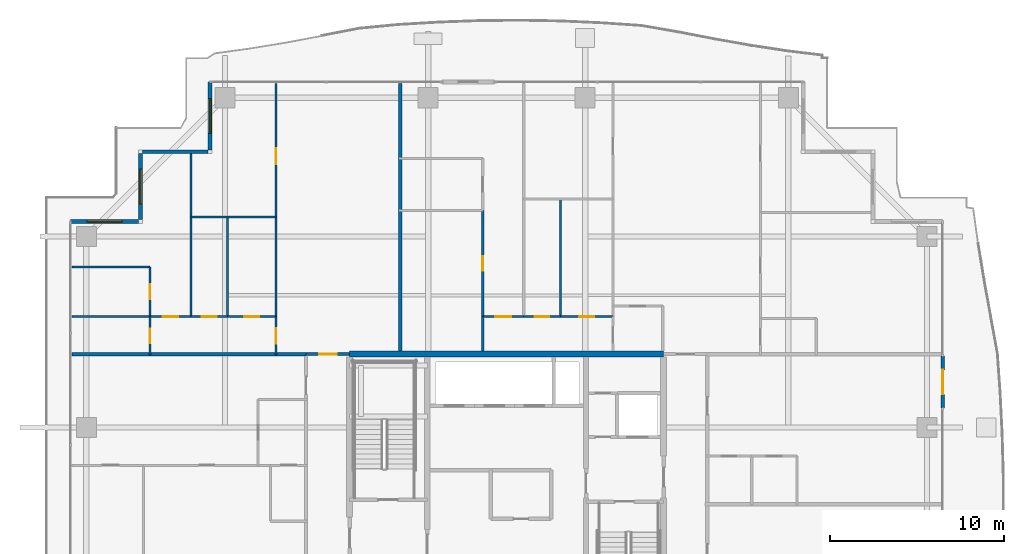
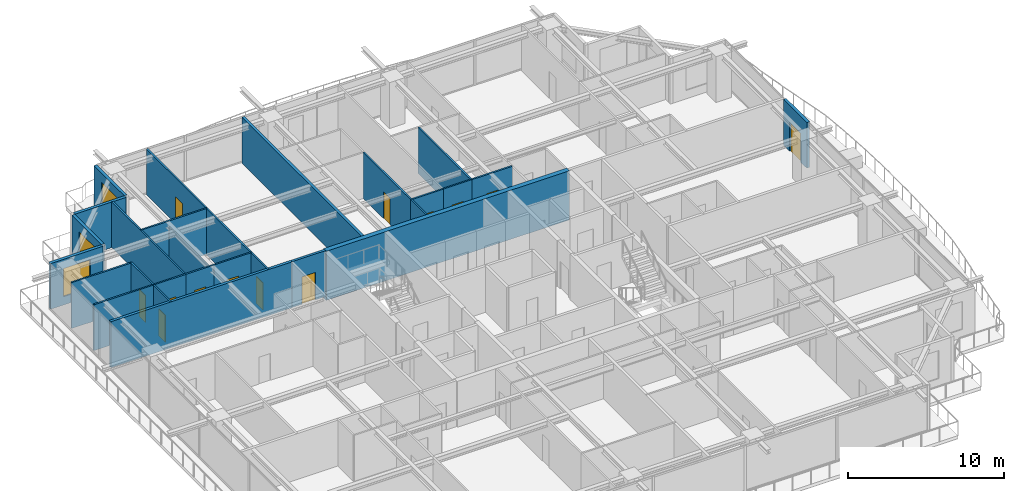
# One storey, part 29 of 37: 28 walls, 13 doors, 3 windows, 16 openings.
"""IFC4 building model written with IfcOpenShell, lengths in metres."""

import ifcopenshell
import ifcopenshell.guid

model = None  # the IFC model being written
_history = None  # IfcOwnerHistory: only IFC2X3 demands one
_inside = {}  # id of a spatial element -> (the spatial element, [elements in it])
_under = {}  # id of a project, library or spatial element -> (it, [spatial elements below it])
_declared = {}  # id of a project -> (the project, [libraries it declares])
_typed = {}  # id of a type object -> (the type object, [elements of that type])
_made_of = {}  # id of a material, layer set ... -> (it, [elements and type objects made of it])


def new_model(schema):
    """Start an empty IFC model of exactly this schema.

    Asked for "IFC4X3", IfcOpenShell would pick the latest addendum, in which some entities
    have other attributes; the version numbers below select the first issue.
    IFC2X3 requires an IfcOwnerHistory on every rooted entity: one is made here for all.
    """
    global model, _history
    if schema == "IFC4X3":
        model = ifcopenshell.file(schema_version=(4, 3, 0, 0))
    else:
        model = ifcopenshell.file(schema=schema)
    _inside.clear()
    _under.clear()
    _declared.clear()
    _typed.clear()
    _made_of.clear()
    _history = None
    if model.schema == "IFC2X3":
        org = make("IfcOrganization", Name="unknown")
        user = make(
            "IfcPersonAndOrganization",
            ThePerson=make("IfcPerson", FamilyName="unknown"),
            TheOrganization=org,
        )
        app = make(
            "IfcApplication",
            ApplicationDeveloper=org,
            Version="unknown",
            ApplicationFullName="unknown",
            ApplicationIdentifier="unknown",
        )
        _history = make(
            "IfcOwnerHistory",
            OwningUser=user,
            OwningApplication=app,
            ChangeAction="ADDED",
            CreationDate=0,
        )
    return model


def make(cls, **values):
    """One entity of the class cls with the attributes given. An attribute that is None is left unset."""
    return model.create_entity(
        cls, **{name: value for name, value in values.items() if value is not None}
    )


def rooted(cls, **values):
    """An entity with a GlobalId (a new one), such as an element, a storey or a relation."""
    return make(cls, GlobalId=ifcopenshell.guid.new(), OwnerHistory=_history, **values)


def si_unit(unit_type, name, prefix=None):
    """IfcSIUnit, for example si_unit("LENGTHUNIT", "METRE", prefix="MILLI")."""
    return make("IfcSIUnit", UnitType=unit_type, Prefix=prefix, Name=name)


def assignment(units):
    """IfcUnitAssignment: the units of a project."""
    return None if units is None else make("IfcUnitAssignment", Units=units)


def point(xyz):
    """IfcCartesianPoint."""
    return None if xyz is None else make("IfcCartesianPoint", Coordinates=xyz)


def direction(xyz):
    """IfcDirection."""
    return None if xyz is None else make("IfcDirection", DirectionRatios=xyz)


def frame(location, z_axis=None, x_axis=None):
    """IfcAxis2Placement3D, a coordinate frame: its origin and axes. An axis left out is left unset."""
    return make(
        "IfcAxis2Placement3D",
        Location=point(location),
        Axis=direction(z_axis),
        RefDirection=direction(x_axis),
    )


def frame_2d(location, x_axis=None):
    """IfcAxis2Placement2D, a coordinate frame in the plane: its origin and x axis."""
    return make(
        "IfcAxis2Placement2D", Location=point(location), RefDirection=direction(x_axis)
    )


def origin():
    """The frame at (0, 0, 0) with its axes left unset."""
    return frame((0.0, 0.0, 0.0))


def place(relative_to, where):
    """IfcLocalPlacement: puts the frame where relative to a parent placement (None: the world)."""
    return make(
        "IfcLocalPlacement", PlacementRelTo=relative_to, RelativePlacement=where
    )


def context(
    kind, dimensions, precision=None, world=None, true_north=None, identifier=None
):
    """IfcGeometricRepresentationContext, for example the 3D "Model" context."""
    return make(
        "IfcGeometricRepresentationContext",
        ContextIdentifier=identifier,
        ContextType=kind,
        CoordinateSpaceDimension=dimensions,
        Precision=precision,
        WorldCoordinateSystem=world,
        TrueNorth=true_north,
    )


def subcontext(parent, identifier, kind, view, scale=None):
    """IfcGeometricRepresentationSubContext, for example "Body" below "Model"."""
    return make(
        "IfcGeometricRepresentationSubContext",
        ContextIdentifier=identifier,
        ContextType=kind,
        ParentContext=parent,
        TargetScale=scale,
        TargetView=view,
    )


def project(units=None, contexts=None):
    """IfcProject with its units and contexts."""
    return rooted(
        "IfcProject",
        Name="project",
        RepresentationContexts=contexts,
        UnitsInContext=assignment(units),
    )


def spatial(cls, under=None, at=None, **own):
    """A site, building, storey or space (cls), placed at a placement, below another one or the project."""
    s = rooted(cls, ObjectPlacement=at, **own)
    if under is not None:
        _under.setdefault(under.id(), (under, []))[1].append(s)
    return s


def profile(cls, at=None, kind="AREA", **sizes):
    """A parametric profile (cls). Its sizes go by their IFC names, for example OverallWidth=200.0."""
    return make(cls, ProfileType=kind, Position=at, **sizes)


def rectangle(**sizes):
    """IfcRectangleProfileDef."""
    return profile("IfcRectangleProfileDef", **sizes)


def extrude(swept, where, along, depth):
    """IfcExtrudedAreaSolid: the profile swept, set in the frame where, extruded along a direction by depth."""
    return make(
        "IfcExtrudedAreaSolid",
        SweptArea=swept,
        Position=where,
        ExtrudedDirection=direction(along),
        Depth=depth,
    )


def shape(context_of_items, identifier, shape_type, items):
    """IfcShapeRepresentation: the items that make up one representation, for example the "Body"."""
    return make(
        "IfcShapeRepresentation",
        ContextOfItems=context_of_items,
        RepresentationIdentifier=identifier,
        RepresentationType=shape_type,
        Items=items,
    )


def source(mapping_origin, context_of_items, identifier, shape_type, items):
    """IfcRepresentationMap: a shape defined once, which mapped items show again and again."""
    return make(
        "IfcRepresentationMap",
        MappingOrigin=mapping_origin,
        MappedRepresentation=shape(context_of_items, identifier, shape_type, items),
    )


def transform(
    local_origin,
    x_axis=None,
    y_axis=None,
    z_axis=None,
    scale=None,
    scale2=None,
    scale3=None,
    uniform=True,
):
    """IfcCartesianTransformationOperator3D, or its non-uniform kind. x_axis, y_axis, z_axis: its Axis1, 2, 3."""
    if uniform:
        return make(
            "IfcCartesianTransformationOperator3D",
            Axis1=direction(x_axis),
            Axis2=direction(y_axis),
            LocalOrigin=point(local_origin),
            Scale=scale,
            Axis3=direction(z_axis),
        )
    return make(
        "IfcCartesianTransformationOperator3DnonUniform",
        Axis1=direction(x_axis),
        Axis2=direction(y_axis),
        LocalOrigin=point(local_origin),
        Scale=scale,
        Axis3=direction(z_axis),
        Scale2=scale2,
        Scale3=scale3,
    )


def mapped(mapping_source, mapping_target):
    """IfcMappedItem: shows the shape of a source again, moved by a transform."""
    return make(
        "IfcMappedItem", MappingSource=mapping_source, MappingTarget=mapping_target
    )


def material(Name=None, Category=None):
    """IfcMaterial."""
    return make("IfcMaterial", Name=Name, Category=Category)


def layer(
    of_material, thickness, ventilated=None, Name=None, Category=None, Priority=None
):
    """IfcMaterialLayer: one layer of a wall or slab, of a material (None: an air gap)."""
    return make(
        "IfcMaterialLayer",
        Material=of_material,
        LayerThickness=thickness,
        IsVentilated=ventilated,
        Name=Name,
        Category=Category,
        Priority=Priority,
    )


def layer_set(layers, Name=None):
    """IfcMaterialLayerSet."""
    return make("IfcMaterialLayerSet", MaterialLayers=layers, LayerSetName=Name)


def made_of(thing, what):
    """Note that an element or type object is made of a material, layer set ...; save() writes the relation."""
    if what is not None:
        _made_of.setdefault(what.id(), (what, []))[1].append(thing)
    return thing


def type_object(cls, material=None, **own):
    """A type object (cls), such as IfcWallType, which elements share."""
    return made_of(rooted(cls, **own), material)


def element(
    cls,
    number,
    at=None,
    inside=None,
    cuts=None,
    type_object=None,
    material=None,
    context=None,
    identifier="Body",
    shape_type=None,
    held_by="IfcProductDefinitionShape",
    body=None,
    shapes=None,
    **own,
):
    """One element of the class cls, such as IfcWall. Its Tag is "e" and its number.

    at: its placement. inside: the storey or other place that contains it. cuts: it is an
    opening in that element (IfcRelVoidsElement). A single representation is given by context,
    identifier, shape_type and body (its items); several are given by shapes. held_by: the class
    of the entity that holds the representations. save() writes the other relations.
    """
    e = rooted(cls, Tag="e%d" % number, ObjectPlacement=at, **own)
    if body is not None:
        shapes = [shape(context, identifier, shape_type, body)]
    if shapes is not None:
        e.Representation = make(held_by, Representations=shapes)
    if inside is not None:
        _inside.setdefault(inside.id(), (inside, []))[1].append(e)
    if cuts is not None:
        rooted(
            "IfcRelVoidsElement", RelatingBuildingElement=cuts, RelatedOpeningElement=e
        )
    if type_object is not None:
        _typed.setdefault(type_object.id(), (type_object, []))[1].append(e)
    return made_of(e, material)


def fill(opening, filler):
    """IfcRelFillsElement: the door or window that sits in an opening."""
    return rooted(
        "IfcRelFillsElement",
        RelatingOpeningElement=opening,
        RelatedBuildingElement=filler,
    )


def aggregate(whole, parts):
    """IfcRelAggregates: a whole, such as a stair, and the parts it consists of."""
    return rooted("IfcRelAggregates", RelatingObject=whole, RelatedObjects=parts)


def save(model, path):
    """Write the relations noted so far, then the file.

    IfcRelAggregates (storeys below a building ...), IfcRelContainedInSpatialStructure (elements
    in a storey), IfcRelDefinesByType, IfcRelAssociatesMaterial and IfcRelDeclares: one each for
    every whole, place, type object, material and project.
    """
    for whole, parts in _under.values():
        aggregate(whole, parts)
    for where, things in _inside.values():
        rooted(
            "IfcRelContainedInSpatialStructure",
            RelatedElements=things,
            RelatingStructure=where,
        )
    for kind, things in _typed.values():
        rooted("IfcRelDefinesByType", RelatedObjects=things, RelatingType=kind)
    for what, things in _made_of.values():
        rooted("IfcRelAssociatesMaterial", RelatedObjects=things, RelatingMaterial=what)
    for by, libraries in _declared.values():
        rooted("IfcRelDeclares", RelatingContext=by, RelatedDefinitions=libraries)
    model.write(path)


model = new_model("IFC4")

# Units and contexts
model_context = context("Model", 3, precision=1e-05, world=origin(), true_north=direction((0.0, 1.0)))
body_context = subcontext(model_context, "Body", "Model", "MODEL_VIEW")
ifc_project = project(units=[si_unit("LENGTHUNIT", "METRE"), si_unit("AREAUNIT", "SQUARE_METRE"), si_unit("VOLUMEUNIT", "CUBIC_METRE"), si_unit("PLANEANGLEUNIT", "RADIAN"), si_unit("MASSUNIT", "GRAM", prefix="KILO")], contexts=[model_context])

# Site, building, storey
site_placement = place(None, origin())
site = spatial("IfcSite", under=ifc_project, at=site_placement, CompositionType="ELEMENT")
building_placement = place(site_placement, origin())
building = spatial("IfcBuilding", under=site, at=building_placement, Name="Serunith Strait Residences", CompositionType="ELEMENT")
storey_placement = place(building_placement, frame((0.0, 0.0, 279.75)))
storey = spatial("IfcBuildingStorey", under=building, at=storey_placement, Name="L70", CompositionType="ELEMENT", Elevation=279.75)

# Wall, opening, door
ifc_material_1 = material(Name="Pale-Champagne Aluminium Insulated Panel", Category="aluminium")
ifc_layer_1 = layer(ifc_material_1, 0.219970703125, Name="Pale-Champagne Aluminium Insulated Panel")
ifc_layer_set_1 = layer_set([ifc_layer_1], Name="Pale-Champagne Aluminium Insulated Panel")
wall_type_1 = type_object("IfcWallType", Name="EW-ALUM-220", PredefinedType="ELEMENTEDWALL", material=ifc_layer_set_1)
wall_1_placement = place(storey_placement, frame((57.39990234375, 30.5, 0.0), z_axis=(0.0, 0.0, 1.0), x_axis=(0.0, 1.0, 0.0)))
wall_1 = element("IfcWall", 1, at=wall_1_placement, inside=storey, type_object=wall_type_1, Name="L70 E Facade Pier Wall", PredefinedType="ELEMENTEDWALL", context=body_context, shape_type="SweptSolid", body=[
    extrude(rectangle(XDim=3.0, YDim=0.219970703125, at=frame_2d((1.5, 0.0))), origin(), (0.0, 0.0, 1.0), 3.574951171875),
])
opening_1_placement = place(wall_1_placement, frame((0.800048828125, 0.0, 0.0)))
opening_1 = element("IfcOpeningElement", 2, at=opening_1_placement, cuts=wall_1, Name="Opening ED-04", PredefinedType="OPENING", context=body_context, shape_type="SweptSolid", body=[
    extrude(rectangle(XDim=1.39990234375, YDim=2.25, at=frame_2d((0.699951171875, 1.125))), frame((0.0, 0.1201171875, 0.0), z_axis=(0.0, -1.0, 0.0), x_axis=(1.0, 0.0, 0.0)), (0.0, 0.0, 1.0), 0.239990234375),
])
ifc_material_2 = material(Name="Thermally-Broken Aluminium Sliding Balcony Door", Category="aluminium")
door_type_1 = type_object("IfcDoorType", Name="ED-BALC-1400", OperationType="NOTDEFINED", PredefinedType="DOOR", material=ifc_material_2)
shared_shape_1 = source(origin(), body_context, "Body", "SweptSolid", [
    extrude(rectangle(XDim=1.39990234375, YDim=2.25, at=frame_2d((0.699951171875, 1.125))), frame((0.0, 0.02490234375, 0.0), z_axis=(0.0, -1.0, 0.0), x_axis=(1.0, 0.0, 0.0)), (0.0, 0.0, 1.0), 0.050048828125),
])
door_1_placement = place(opening_1_placement, origin())
door_1 = element("IfcDoor", 3, at=door_1_placement, inside=storey, type_object=door_type_1, Name="L70 E Vertical-Forest Balcony Door", OperationType="SLIDING_TO_LEFT", OverallHeight=2.25, OverallWidth=1.39990234375, PredefinedType="DOOR", context=body_context, shape_type="MappedRepresentation", body=[
    mapped(shared_shape_1, transform((0.0, 0.0, 0.0), scale=1.0)),
])
fill(opening_1, door_1)

# Wall, opening, window
wall_2_placement = place(storey_placement, frame((15.39990234375, 49.199951171875, 0.0), z_axis=(0.0, 0.0, 1.0), x_axis=(0.0, -1.0, 0.0)))
wall_2 = element("IfcWall", 4, at=wall_2_placement, inside=storey, type_object=wall_type_1, Name="L70 Girih Serrated Corner Wall 12", PredefinedType="ELEMENTEDWALL", context=body_context, shape_type="SweptSolid", body=[
    extrude(rectangle(XDim=3.889892578125, YDim=0.219970703125, at=frame_2d((1.94482421875, 0.0))), origin(), (0.0, 0.0, 1.0), 3.574951171875),
])
opening_2_placement = place(wall_2_placement, frame((0.945068359375, 0.0, 0.64990234375)))
opening_2 = element("IfcOpeningElement", 5, at=opening_2_placement, cuts=wall_2, Name="Opening W-04", PredefinedType="OPENING", context=body_context, shape_type="SweptSolid", body=[
    extrude(rectangle(XDim=2.0, YDim=2.199951171875, at=frame_2d((1.0, 1.10009765625))), frame((0.0, 0.1201171875, 0.0), z_axis=(0.0, -1.0, 0.0), x_axis=(1.0, 0.0, 0.0)), (0.0, 0.0, 1.0), 0.239990234375),
])
ifc_material_3 = material(Name="Ceramic-Fritted Operable Aluminium Window Glass", Category="aluminium")
window_type = type_object("IfcWindowType", Name="WIN-C4", PartitioningType="TRIPLE_PANEL_VERTICAL", PredefinedType="WINDOW", material=ifc_material_3)
shared_shape_2 = source(origin(), body_context, "Body", "SweptSolid", [
    extrude(rectangle(XDim=2.0, YDim=2.199951171875, at=frame_2d((1.0, 1.10009765625))), frame((0.0, 0.030029296875, 0.0), z_axis=(0.0, -1.0, 0.0), x_axis=(1.0, 0.0, 0.0)), (0.0, 0.0, 1.0), 0.06005859375),
])
window_1_placement = place(opening_2_placement, origin())
window_1 = element("IfcWindow", 6, at=window_1_placement, inside=storey, type_object=window_type, Name="L70 Corner Operable Fritted Window 12", OverallHeight=2.199951171875, OverallWidth=2.0, PartitioningType="SINGLE_PANEL", PredefinedType="WINDOW", context=body_context, shape_type="MappedRepresentation", body=[
    mapped(shared_shape_2, transform((0.0, 0.0, 0.0), scale=1.0)),
])
fill(opening_2, window_1)

# Wall
wall_3_placement = place(storey_placement, frame((15.2900390625, 45.199951171875, 0.0), z_axis=(0.0, 0.0, 1.0), x_axis=(-1.0, 0.0, 0.0)))
element("IfcWall", 7, at=wall_3_placement, inside=storey, type_object=wall_type_1, Name="L70 Girih Serrated Corner Wall 13", PredefinedType="ELEMENTEDWALL", context=body_context, shape_type="SweptSolid", body=[
    extrude(rectangle(XDim=3.780029296875, YDim=0.219970703125, at=frame_2d((1.89013671875, 0.0))), origin(), (0.0, 0.0, 1.0), 3.574951171875),
])

# Wall, opening, window
wall_4_placement = place(storey_placement, frame((11.39990234375, 45.090087890625, 0.0), z_axis=(0.0, 0.0, 1.0), x_axis=(0.0, -1.0, 0.0)))
wall_4 = element("IfcWall", 8, at=wall_4_placement, inside=storey, type_object=wall_type_1, Name="L70 Girih Serrated Corner Wall 14", PredefinedType="ELEMENTEDWALL", context=body_context, shape_type="SweptSolid", body=[
    extrude(rectangle(XDim=3.780029296875, YDim=0.219970703125, at=frame_2d((1.89013671875, 0.0))), origin(), (0.0, 0.0, 1.0), 3.574951171875),
])
opening_3_placement = place(wall_4_placement, frame((0.889892578125, 0.0, 0.64990234375)))
opening_3 = element("IfcOpeningElement", 9, at=opening_3_placement, cuts=wall_4, Name="Opening W-04", PredefinedType="OPENING", context=body_context, shape_type="SweptSolid", body=[
    extrude(rectangle(XDim=2.0, YDim=2.199951171875, at=frame_2d((1.0, 1.10009765625))), frame((0.0, 0.1201171875, 0.0), z_axis=(0.0, -1.0, 0.0), x_axis=(1.0, 0.0, 0.0)), (0.0, 0.0, 1.0), 0.239990234375),
])
window_2_placement = place(opening_3_placement, origin())
window_2 = element("IfcWindow", 10, at=window_2_placement, inside=storey, type_object=window_type, Name="L70 Corner Operable Fritted Window 14", OverallHeight=2.199951171875, OverallWidth=2.0, PartitioningType="SINGLE_PANEL", PredefinedType="WINDOW", context=body_context, shape_type="MappedRepresentation", body=[
    mapped(shared_shape_2, transform((0.0, 0.0, 0.0), scale=1.0)),
])
fill(opening_3, window_2)

wall_5_placement = place(storey_placement, frame((11.2900390625, 41.199951171875, 0.0), z_axis=(0.0, 0.0, 1.0), x_axis=(-1.0, 0.0, 0.0)))
wall_5 = element("IfcWall", 11, at=wall_5_placement, inside=storey, type_object=wall_type_1, Name="L70 Girih Serrated Corner Wall 15", PredefinedType="ELEMENTEDWALL", context=body_context, shape_type="SweptSolid", body=[
    extrude(rectangle(XDim=3.89013671875, YDim=0.219970703125, at=frame_2d((1.945068359375, 0.0))), origin(), (0.0, 0.0, 1.0), 3.574951171875),
])
opening_4_placement = place(wall_5_placement, frame((0.945068359375, 0.0, 0.64990234375)))
opening_4 = element("IfcOpeningElement", 12, at=opening_4_placement, cuts=wall_5, Name="Opening W-04", PredefinedType="OPENING", context=body_context, shape_type="SweptSolid", body=[
    extrude(rectangle(XDim=2.0, YDim=2.199951171875, at=frame_2d((1.0, 1.10009765625))), frame((0.0, 0.1201171875, 0.0), z_axis=(0.0, -1.0, 0.0), x_axis=(1.0, 0.0, 0.0)), (0.0, 0.0, 1.0), 0.239990234375),
])
window_3_placement = place(opening_4_placement, origin())
window_3 = element("IfcWindow", 13, at=window_3_placement, inside=storey, type_object=window_type, Name="L70 Corner Operable Fritted Window 15", OverallHeight=2.199951171875, OverallWidth=2.0, PartitioningType="SINGLE_PANEL", PredefinedType="WINDOW", context=body_context, shape_type="MappedRepresentation", body=[
    mapped(shared_shape_2, transform((0.0, 0.0, 0.0), scale=1.0)),
])
fill(opening_4, window_3)

# Wall, opening, door
ifc_material_4 = material(Name="Fire-rated acoustic gypsum partition")
ifc_layer_2 = layer(ifc_material_4, 0.179931640625, Name="Fire-rated acoustic gypsum partition")
ifc_layer_set_2 = layer_set([ifc_layer_2], Name="Fire-rated acoustic gypsum partition")
wall_type_2 = type_object("IfcWallType", Name="IW-CORR-180", PredefinedType="PARTITIONING", material=ifc_layer_set_2)
wall_6_placement = place(storey_placement, frame((20.902099609375, 33.60009765625, 0.0), z_axis=(0.0, 0.0, 1.0), x_axis=(1.0, 0.0, 0.0)))
wall_6 = element("IfcWall", 14, at=wall_6_placement, inside=storey, type_object=wall_type_2, Name="L70 Partition Wall 027", PredefinedType="PARTITIONING", context=body_context, shape_type="SweptSolid", body=[
    extrude(rectangle(XDim=2.495849609375, YDim=0.179931640625, at=frame_2d((1.248046875, 0.0))), origin(), (0.0, 0.0, 1.0), 3.590087890625),
])
opening_5_placement = place(wall_6_placement, frame((0.748046875, 0.0, 0.0)))
opening_5 = element("IfcOpeningElement", 15, at=opening_5_placement, cuts=wall_6, Name="Opening D-APT1000", PredefinedType="OPENING", context=body_context, shape_type="SweptSolid", body=[
    extrude(rectangle(XDim=1.0, YDim=2.14990234375, at=frame_2d((0.5, 1.074951171875))), frame((0.0, 0.10009765625, 0.0), z_axis=(0.0, -1.0, 0.0), x_axis=(1.0, 0.0, 0.0)), (0.0, 0.0, 1.0), 0.199951171875),
])
ifc_material_5 = material(Name="Solid timber engineered fire door", Category="wood")
door_type_2 = type_object("IfcDoorType", Name="ID-APT-1000", OperationType="NOTDEFINED", PredefinedType="DOOR", material=ifc_material_5)
shared_shape_3 = source(origin(), body_context, "Body", "SweptSolid", [
    extrude(rectangle(XDim=1.0, YDim=2.14990234375, at=frame_2d((0.5, 1.074951171875))), frame((0.0, 0.02490234375, 0.0), z_axis=(0.0, -1.0, 0.0), x_axis=(1.0, 0.0, 0.0)), (0.0, 0.0, 1.0), 0.050048828125),
])
door_2_placement = place(opening_5_placement, origin())
door_2 = element("IfcDoor", 16, at=door_2_placement, inside=storey, type_object=door_type_2, Name="L70 Unit 03 Entrance Door", OperationType="SINGLE_SWING_LEFT", OverallHeight=2.14990234375, OverallWidth=1.0, PredefinedType="DOOR", context=body_context, shape_type="MappedRepresentation", body=[
    mapped(shared_shape_3, transform((0.0, 0.0, 0.0), scale=1.0)),
])
fill(opening_5, door_2)

ifc_material_6 = material(Name="Lightweight steel-stud gypsum partition", Category="steel")
ifc_layer_3 = layer(ifc_material_6, 0.1201171875, Name="Lightweight steel-stud gypsum partition")
ifc_layer_set_3 = layer_set([ifc_layer_3], Name="Lightweight steel-stud gypsum partition")
wall_type_3 = type_object("IfcWallType", Name="IW-PART-120", PredefinedType="PARTITIONING", material=ifc_layer_set_3)
wall_7_placement = place(storey_placement, frame((19.179931640625, 35.75, 0.0), z_axis=(0.0, 0.0, 1.0), x_axis=(0.0, -1.0, 0.0)))
wall_7 = element("IfcWall", 17, at=wall_7_placement, inside=storey, type_object=wall_type_3, Name="L70 Partition Wall 058", PredefinedType="PARTITIONING", context=body_context, shape_type="SweptSolid", body=[
    extrude(rectangle(XDim=2.2099609375, YDim=0.1201171875, at=frame_2d((1.10498046875, 0.0))), origin(), (0.0, 0.0, 1.0), 3.590087890625),
])
opening_6_placement = place(wall_7_placement, frame((0.655029296875, 0.0, 0.0)))
opening_6 = element("IfcOpeningElement", 18, at=opening_6_placement, cuts=wall_7, Name="Opening D-RM900", PredefinedType="OPENING", context=body_context, shape_type="SweptSolid", body=[
    extrude(rectangle(XDim=0.89990234375, YDim=2.10009765625, at=frame_2d((0.449951171875, 1.050048828125))), frame((0.0, 0.070068359375, 0.0), z_axis=(0.0, -1.0, 0.0), x_axis=(1.0, 0.0, 0.0)), (0.0, 0.0, 1.0), 0.14013671875),
])
ifc_material_7 = material(Name="Engineered timber flush bedroom door", Category="wood")
door_type_3 = type_object("IfcDoorType", Name="ID-ROOM-900", OperationType="NOTDEFINED", PredefinedType="DOOR", material=ifc_material_7)
shared_shape_4 = source(origin(), body_context, "Body", "SweptSolid", [
    extrude(rectangle(XDim=0.89990234375, YDim=2.10009765625, at=frame_2d((0.449951171875, 1.050048828125))), frame((0.0, 0.02490234375, 0.0), z_axis=(0.0, -1.0, 0.0), x_axis=(1.0, 0.0, 0.0)), (0.0, 0.0, 1.0), 0.050048828125),
])
door_3_placement = place(opening_6_placement, origin())
door_3 = element("IfcDoor", 19, at=door_3_placement, inside=storey, type_object=door_type_3, Name="L70 Hall W 7003 Door", OperationType="SINGLE_SWING_LEFT", OverallHeight=2.10009765625, OverallWidth=0.89990234375, PredefinedType="DOOR", context=body_context, shape_type="MappedRepresentation", body=[
    mapped(shared_shape_4, transform((0.0, 0.0, 0.0), scale=1.0)),
])
fill(opening_6, door_3)

wall_8_placement = place(storey_placement, frame((19.179931640625, 49.10498046875, 0.0), z_axis=(0.0, 0.0, 1.0), x_axis=(0.0, -1.0, 0.0)))
wall_8 = element("IfcWall", 20, at=wall_8_placement, inside=storey, type_object=wall_type_3, Name="L70 Partition Wall 059", PredefinedType="PARTITIONING", context=body_context, shape_type="SweptSolid", body=[
    extrude(rectangle(XDim=7.64501953125, YDim=0.1201171875, at=frame_2d((3.822509765625, 0.0))), origin(), (0.0, 0.0, 1.0), 3.590087890625),
])
opening_7_placement = place(wall_8_placement, frame((3.7099609375, 0.0, 0.0)))
opening_7 = element("IfcOpeningElement", 21, at=opening_7_placement, cuts=wall_8, Name="Opening D-RM900", PredefinedType="OPENING", context=body_context, shape_type="SweptSolid", body=[
    extrude(rectangle(XDim=0.89990234375, YDim=2.10009765625, at=frame_2d((0.449951171875, 1.050048828125))), frame((0.0, 0.070068359375, 0.0), z_axis=(0.0, -1.0, 0.0), x_axis=(1.0, 0.0, 0.0)), (0.0, 0.0, 1.0), 0.14013671875),
])
door_4_placement = place(opening_7_placement, origin())
door_4 = element("IfcDoor", 22, at=door_4_placement, inside=storey, type_object=door_type_3, Name="L70 Formal Dining Room 1 7003 Door", OperationType="SINGLE_SWING_RIGHT", OverallHeight=2.10009765625, OverallWidth=0.89990234375, PredefinedType="DOOR", context=body_context, shape_type="MappedRepresentation", body=[
    mapped(shared_shape_4, transform((0.0, 0.0, 0.0), scale=1.0)),
])
fill(opening_7, door_4)

# Walls
wall_9_placement = place(storey_placement, frame((19.179931640625, 41.4580078125, 0.0), z_axis=(0.0, 0.0, 1.0), x_axis=(0.0, -1.0, 0.0)))
element("IfcWall", 23, at=wall_9_placement, inside=storey, type_object=wall_type_3, Name="L70 Partition Wall 060", PredefinedType="PARTITIONING", context=body_context, shape_type="SweptSolid", body=[
    extrude(rectangle(XDim=5.7060546875, YDim=0.1201171875, at=frame_2d((2.85302734375, 0.0))), origin(), (0.0, 0.0, 1.0), 3.590087890625),
])
wall_10_placement = place(storey_placement, frame((14.300048828125, 41.4599609375, 0.0), z_axis=(0.0, 0.0, 1.0), x_axis=(1.0, 0.0, 0.0)))
element("IfcWall", 24, at=wall_10_placement, inside=storey, type_object=wall_type_3, Name="L70 Partition Wall 061", PredefinedType="PARTITIONING", context=body_context, shape_type="SweptSolid", body=[
    extrude(rectangle(XDim=4.8798828125, YDim=0.1201171875, at=frame_2d((2.43994140625, 0.0))), origin(), (0.0, 0.0, 1.0), 3.590087890625),
])
wall_11_placement = place(storey_placement, frame((14.300048828125, 45.10498046875, 0.0), z_axis=(0.0, 0.0, 1.0), x_axis=(0.0, -1.0, 0.0)))
element("IfcWall", 25, at=wall_11_placement, inside=storey, type_object=wall_type_3, Name="L70 Partition Wall 062", PredefinedType="PARTITIONING", context=body_context, shape_type="SweptSolid", body=[
    extrude(rectangle(XDim=9.35498046875, YDim=0.1201171875, at=frame_2d((4.677490234375, 0.0))), origin(), (0.0, 0.0, 1.0), 3.590087890625),
])
wall_12_placement = place(storey_placement, frame((16.39990234375, 41.4599609375, 0.0), z_axis=(0.0, 0.0, 1.0), x_axis=(0.0, -1.0, 0.0)))
element("IfcWall", 26, at=wall_12_placement, inside=storey, type_object=wall_type_3, Name="L70 Partition Wall 063", PredefinedType="PARTITIONING", context=body_context, shape_type="SweptSolid", body=[
    extrude(rectangle(XDim=5.7099609375, YDim=0.1201171875, at=frame_2d((2.85498046875, 0.0))), origin(), (0.0, 0.0, 1.0), 3.1220703125),
])

# Wall, opening, door
wall_13_placement = place(storey_placement, frame((14.300048828125, 35.75, 0.0), z_axis=(0.0, 0.0, 1.0), x_axis=(1.0, 0.0, 0.0)))
wall_13 = element("IfcWall", 27, at=wall_13_placement, inside=storey, type_object=wall_type_3, Name="L70 Partition Wall 064", PredefinedType="PARTITIONING", context=body_context, shape_type="SweptSolid", body=[
    extrude(rectangle(XDim=2.099853515625, YDim=0.1201171875, at=frame_2d((1.0498046875, 0.0))), origin(), (0.0, 0.0, 1.0), 3.590087890625),
])
opening_8_placement = place(wall_13_placement, frame((0.625, 0.0, 0.0)))
opening_8 = element("IfcOpeningElement", 28, at=opening_8_placement, cuts=wall_13, Name="Opening D-BTH850", PredefinedType="OPENING", context=body_context, shape_type="SweptSolid", body=[
    extrude(rectangle(XDim=0.85009765625, YDim=2.10009765625, at=frame_2d((0.425048828125, 1.050048828125))), frame((0.0, 0.070068359375, 0.0), z_axis=(0.0, -1.0, 0.0), x_axis=(1.0, 0.0, 0.0)), (0.0, 0.0, 1.0), 0.14013671875),
])
ifc_material_8 = material(Name="Moisture-resistant timber bathroom door", Category="wood")
door_type_4 = type_object("IfcDoorType", Name="ID-BATH-850", OperationType="NOTDEFINED", PredefinedType="DOOR", material=ifc_material_8)
shared_shape_5 = source(origin(), body_context, "Body", "SweptSolid", [
    extrude(rectangle(XDim=0.85009765625, YDim=2.10009765625, at=frame_2d((0.425048828125, 1.050048828125))), frame((0.0, 0.02490234375, 0.0), z_axis=(0.0, -1.0, 0.0), x_axis=(1.0, 0.0, 0.0)), (0.0, 0.0, 1.0), 0.050048828125),
])
door_5_placement = place(opening_8_placement, origin())
door_5 = element("IfcDoor", 29, at=door_5_placement, inside=storey, type_object=door_type_4, Name="L70 Bathroom 7003 Door", OperationType="SINGLE_SWING_LEFT", OverallHeight=2.10009765625, OverallWidth=0.85009765625, PredefinedType="DOOR", context=body_context, shape_type="MappedRepresentation", body=[
    mapped(shared_shape_5, transform((0.0, 0.0, 0.0), scale=1.0)),
])
fill(opening_8, door_5)

wall_14_placement = place(storey_placement, frame((16.402099609375, 35.75, 0.0), z_axis=(0.0, 0.0, 1.0), x_axis=(1.0, 0.0, 0.0)))
wall_14 = element("IfcWall", 30, at=wall_14_placement, inside=storey, type_object=wall_type_3, Name="L70 Partition Wall 065", PredefinedType="PARTITIONING", context=body_context, shape_type="SweptSolid", body=[
    extrude(rectangle(XDim=2.77783203125, YDim=0.1201171875, at=frame_2d((1.388916015625, 0.0))), origin(), (0.0, 0.0, 1.0), 3.590087890625),
])
opening_9_placement = place(wall_14_placement, frame((0.964111328125, 0.0, 0.0)))
opening_9 = element("IfcOpeningElement", 31, at=opening_9_placement, cuts=wall_14, Name="Opening D-RM850", PredefinedType="OPENING", context=body_context, shape_type="SweptSolid", body=[
    extrude(rectangle(XDim=0.85009765625, YDim=2.10009765625, at=frame_2d((0.425048828125, 1.050048828125))), frame((0.0, 0.070068359375, 0.0), z_axis=(0.0, -1.0, 0.0), x_axis=(1.0, 0.0, 0.0)), (0.0, 0.0, 1.0), 0.14013671875),
])
ifc_material_9 = material(Name="Engineered timber flush study and kitchen door", Category="wood")
door_type_5 = type_object("IfcDoorType", Name="ID-ROOM-850", OperationType="NOTDEFINED", PredefinedType="DOOR", material=ifc_material_9)
door_6_placement = place(opening_9_placement, origin())
door_6 = element("IfcDoor", 32, at=door_6_placement, inside=storey, type_object=door_type_5, Name="L70 Kitchen 7003 Door", OperationType="SINGLE_SWING_RIGHT", OverallHeight=2.10009765625, OverallWidth=0.85009765625, PredefinedType="DOOR", context=body_context, shape_type="MappedRepresentation", body=[
    mapped(shared_shape_5, transform((0.0, 0.0, 0.0), scale=1.0)),
])
fill(opening_9, door_6)

wall_15_placement = place(storey_placement, frame((11.949951171875, 35.75, 0.0), z_axis=(0.0, 0.0, 1.0), x_axis=(1.0, 0.0, 0.0)))
wall_15 = element("IfcWall", 33, at=wall_15_placement, inside=storey, type_object=wall_type_3, Name="L70 Partition Wall 066", PredefinedType="PARTITIONING", context=body_context, shape_type="SweptSolid", body=[
    extrude(rectangle(XDim=2.34814453125, YDim=0.1201171875, at=frame_2d((1.174072265625, 0.0))), origin(), (0.0, 0.0, 1.0), 3.590087890625),
])
opening_10_placement = place(wall_15_placement, frame((0.72412109375, 0.0, 0.0)))
opening_10 = element("IfcOpeningElement", 34, at=opening_10_placement, cuts=wall_15, Name="Opening D-RM900", PredefinedType="OPENING", context=body_context, shape_type="SweptSolid", body=[
    extrude(rectangle(XDim=0.89990234375, YDim=2.10009765625, at=frame_2d((0.449951171875, 1.050048828125))), frame((0.0, 0.070068359375, 0.0), z_axis=(0.0, -1.0, 0.0), x_axis=(1.0, 0.0, 0.0)), (0.0, 0.0, 1.0), 0.14013671875),
])
door_7_placement = place(opening_10_placement, origin())
door_7 = element("IfcDoor", 35, at=door_7_placement, inside=storey, type_object=door_type_3, Name="L70 Master Bedroom W 7003 Door", OperationType="SINGLE_SWING_LEFT", OverallHeight=2.10009765625, OverallWidth=0.89990234375, PredefinedType="DOOR", context=body_context, shape_type="MappedRepresentation", body=[
    mapped(shared_shape_4, transform((0.0, 0.0, 0.0), scale=1.0)),
])
fill(opening_10, door_7)

# Walls
wall_16_placement = place(storey_placement, frame((7.4951171875, 38.60693359375, 0.0), z_axis=(0.0, 0.0, 1.0), x_axis=(1.0, 0.0, 0.0)))
element("IfcWall", 36, at=wall_16_placement, inside=storey, type_object=wall_type_3, Name="L70 Partition Wall 067", PredefinedType="PARTITIONING", context=body_context, shape_type="SweptSolid", body=[
    extrude(rectangle(XDim=4.454833984375, YDim=0.1201171875, at=frame_2d((2.2275390625, 0.0))), origin(), (0.0, 0.0, 1.0), 3.590087890625),
])
wall_17_placement = place(storey_placement, frame((7.4951171875, 35.75, 0.0), z_axis=(0.0, 0.0, 1.0), x_axis=(1.0, 0.0, 0.0)))
element("IfcWall", 37, at=wall_17_placement, inside=storey, type_object=wall_type_3, Name="L70 Partition Wall 068", PredefinedType="PARTITIONING", context=body_context, shape_type="SweptSolid", body=[
    extrude(rectangle(XDim=4.452880859375, YDim=0.1201171875, at=frame_2d((2.2265625, 0.0))), origin(), (0.0, 0.0, 1.0), 3.590087890625),
])

# Wall, opening, door
wall_18_placement = place(storey_placement, frame((11.949951171875, 38.60693359375, 0.0), z_axis=(0.0, 0.0, 1.0), x_axis=(0.0, -1.0, 0.0)))
wall_18 = element("IfcWall", 38, at=wall_18_placement, inside=storey, type_object=wall_type_3, Name="L70 Partition Wall 069", PredefinedType="PARTITIONING", context=body_context, shape_type="SweptSolid", body=[
    extrude(rectangle(XDim=2.85693359375, YDim=0.1201171875, at=frame_2d((1.428466796875, 0.0))), origin(), (0.0, 0.0, 1.0), 3.590087890625),
])
opening_11_placement = place(wall_18_placement, frame((1.0029296875, 0.0, 0.0)))
opening_11 = element("IfcOpeningElement", 39, at=opening_11_placement, cuts=wall_18, Name="Opening D-BTH850", PredefinedType="OPENING", context=body_context, shape_type="SweptSolid", body=[
    extrude(rectangle(XDim=0.85009765625, YDim=2.10009765625, at=frame_2d((0.425048828125, 1.050048828125))), frame((0.0, 0.070068359375, 0.0), z_axis=(0.0, -1.0, 0.0), x_axis=(1.0, 0.0, 0.0)), (0.0, 0.0, 1.0), 0.14013671875),
])
door_8_placement = place(opening_11_placement, origin())
door_8 = element("IfcDoor", 40, at=door_8_placement, inside=storey, type_object=door_type_4, Name="L70 En-suite Bathroom W 7003 Door", OperationType="SINGLE_SWING_RIGHT", OverallHeight=2.10009765625, OverallWidth=0.85009765625, PredefinedType="DOOR", context=body_context, shape_type="MappedRepresentation", body=[
    mapped(shared_shape_5, transform((0.0, 0.0, 0.0), scale=1.0)),
])
fill(opening_11, door_8)

wall_19_placement = place(storey_placement, frame((11.949951171875, 35.748046875, 0.0), z_axis=(0.0, 0.0, 1.0), x_axis=(0.0, -1.0, 0.0)))
wall_19 = element("IfcWall", 41, at=wall_19_placement, inside=storey, type_object=wall_type_3, Name="L70 Partition Wall 070", PredefinedType="PARTITIONING", context=body_context, shape_type="SweptSolid", body=[
    extrude(rectangle(XDim=2.2080078125, YDim=0.1201171875, at=frame_2d((1.10400390625, 0.0))), origin(), (0.0, 0.0, 1.0), 3.590087890625),
])
opening_12_placement = place(wall_19_placement, frame((0.678955078125, 0.0, 0.0)))
opening_12 = element("IfcOpeningElement", 42, at=opening_12_placement, cuts=wall_19, Name="Opening D-RM850", PredefinedType="OPENING", context=body_context, shape_type="SweptSolid", body=[
    extrude(rectangle(XDim=0.85009765625, YDim=2.10009765625, at=frame_2d((0.425048828125, 1.050048828125))), frame((0.0, 0.070068359375, 0.0), z_axis=(0.0, -1.0, 0.0), x_axis=(1.0, 0.0, 0.0)), (0.0, 0.0, 1.0), 0.14013671875),
])
door_9_placement = place(opening_12_placement, origin())
door_9 = element("IfcDoor", 43, at=door_9_placement, inside=storey, type_object=door_type_5, Name="L70 Wardrobe W 7003 Door", OperationType="SINGLE_SWING_LEFT", OverallHeight=2.10009765625, OverallWidth=0.85009765625, PredefinedType="DOOR", context=body_context, shape_type="MappedRepresentation", body=[
    mapped(shared_shape_5, transform((0.0, 0.0, 0.0), scale=1.0)),
])
fill(opening_12, door_9)

# Wall
wall_20_placement = place(storey_placement, frame((35.47998046875, 42.5009765625, 0.0), z_axis=(0.0, 0.0, 1.0), x_axis=(0.0, -1.0, 0.0)))
element("IfcWall", 44, at=wall_20_placement, inside=storey, type_object=wall_type_3, Name="L70 Partition Wall 078", PredefinedType="PARTITIONING", context=body_context, shape_type="SweptSolid", body=[
    extrude(rectangle(XDim=6.7509765625, YDim=0.1201171875, at=frame_2d((3.37548828125, 0.0))), origin(), (0.0, 0.0, 1.0), 3.590087890625),
])

# Wall, opening, door
wall_21_placement = place(storey_placement, frame((33.3798828125, 35.75, 0.0), z_axis=(0.0, 0.0, 1.0), x_axis=(1.0, 0.0, 0.0)))
wall_21 = element("IfcWall", 45, at=wall_21_placement, inside=storey, type_object=wall_type_3, Name="L70 Partition Wall 079", PredefinedType="PARTITIONING", context=body_context, shape_type="SweptSolid", body=[
    extrude(rectangle(XDim=2.10009765625, YDim=0.1201171875, at=frame_2d((1.050048828125, 0.0))), origin(), (0.0, 0.0, 1.0), 3.590087890625),
])
opening_13_placement = place(wall_21_placement, frame((0.625, 0.0, 0.0)))
opening_13 = element("IfcOpeningElement", 46, at=opening_13_placement, cuts=wall_21, Name="Opening D-BTH850", PredefinedType="OPENING", context=body_context, shape_type="SweptSolid", body=[
    extrude(rectangle(XDim=0.85009765625, YDim=2.10009765625, at=frame_2d((0.425048828125, 1.050048828125))), frame((0.0, 0.070068359375, 0.0), z_axis=(0.0, -1.0, 0.0), x_axis=(1.0, 0.0, 0.0)), (0.0, 0.0, 1.0), 0.14013671875),
])
door_10_placement = place(opening_13_placement, origin())
door_10 = element("IfcDoor", 47, at=door_10_placement, inside=storey, type_object=door_type_4, Name="L70 Bathroom 7004 Door", OperationType="SINGLE_SWING_LEFT", OverallHeight=2.10009765625, OverallWidth=0.85009765625, PredefinedType="DOOR", context=body_context, shape_type="MappedRepresentation", body=[
    mapped(shared_shape_5, transform((0.0, 0.0, 0.0), scale=1.0)),
])
fill(opening_13, door_10)

wall_22_placement = place(storey_placement, frame((35.48193359375, 35.75, 0.0), z_axis=(0.0, 0.0, 1.0), x_axis=(1.0, 0.0, 0.0)))
wall_22 = element("IfcWall", 48, at=wall_22_placement, inside=storey, type_object=wall_type_3, Name="L70 Partition Wall 080", PredefinedType="PARTITIONING", context=body_context, shape_type="SweptSolid", body=[
    extrude(rectangle(XDim=3.01806640625, YDim=0.1201171875, at=frame_2d((1.509033203125, 0.0))), origin(), (0.0, 0.0, 1.0), 3.590087890625),
])
opening_14_placement = place(wall_22_placement, frame((1.083984375, 0.0, 0.0)))
opening_14 = element("IfcOpeningElement", 49, at=opening_14_placement, cuts=wall_22, Name="Opening D-RM850", PredefinedType="OPENING", context=body_context, shape_type="SweptSolid", body=[
    extrude(rectangle(XDim=0.85009765625, YDim=2.10009765625, at=frame_2d((0.425048828125, 1.050048828125))), frame((0.0, 0.070068359375, 0.0), z_axis=(0.0, -1.0, 0.0), x_axis=(1.0, 0.0, 0.0)), (0.0, 0.0, 1.0), 0.14013671875),
])
door_11_placement = place(opening_14_placement, origin())
door_11 = element("IfcDoor", 50, at=door_11_placement, inside=storey, type_object=door_type_5, Name="L70 Formal Dining Room 7004 Door", OperationType="SINGLE_SWING_RIGHT", OverallHeight=2.10009765625, OverallWidth=0.85009765625, PredefinedType="DOOR", context=body_context, shape_type="MappedRepresentation", body=[
    mapped(shared_shape_5, transform((0.0, 0.0, 0.0), scale=1.0)),
])
fill(opening_14, door_11)

wall_23_placement = place(storey_placement, frame((31.030029296875, 35.75, 0.0), z_axis=(0.0, 0.0, 1.0), x_axis=(1.0, 0.0, 0.0)))
wall_23 = element("IfcWall", 51, at=wall_23_placement, inside=storey, type_object=wall_type_3, Name="L70 Partition Wall 081", PredefinedType="PARTITIONING", context=body_context, shape_type="SweptSolid", body=[
    extrude(rectangle(XDim=2.347900390625, YDim=0.1201171875, at=frame_2d((1.173828125, 0.0))), origin(), (0.0, 0.0, 1.0), 3.590087890625),
])
opening_15_placement = place(wall_23_placement, frame((0.72412109375, 0.0, 0.0)))
opening_15 = element("IfcOpeningElement", 52, at=opening_15_placement, cuts=wall_23, Name="Opening D-RM900", PredefinedType="OPENING", context=body_context, shape_type="SweptSolid", body=[
    extrude(rectangle(XDim=0.89990234375, YDim=2.10009765625, at=frame_2d((0.449951171875, 1.050048828125))), frame((0.0, 0.070068359375, 0.0), z_axis=(0.0, -1.0, 0.0), x_axis=(1.0, 0.0, 0.0)), (0.0, 0.0, 1.0), 0.14013671875),
])
door_12_placement = place(opening_15_placement, origin())
door_12 = element("IfcDoor", 53, at=door_12_placement, inside=storey, type_object=door_type_3, Name="L70 Master Bedroom W 7004 Door", OperationType="SINGLE_SWING_LEFT", OverallHeight=2.10009765625, OverallWidth=0.89990234375, PredefinedType="DOOR", context=body_context, shape_type="MappedRepresentation", body=[
    mapped(shared_shape_4, transform((0.0, 0.0, 0.0), scale=1.0)),
])
fill(opening_15, door_12)

wall_24_placement = place(storey_placement, frame((31.030029296875, 41.843017578125, 0.0), z_axis=(0.0, 0.0, 1.0), x_axis=(0.0, -1.0, 0.0)))
wall_24 = element("IfcWall", 54, at=wall_24_placement, inside=storey, type_object=wall_type_3, Name="L70 Partition Wall 085", PredefinedType="PARTITIONING", context=body_context, shape_type="SweptSolid", body=[
    extrude(rectangle(XDim=6.093017578125, YDim=0.1201171875, at=frame_2d((3.04638671875, 0.0))), origin(), (0.0, 0.0, 1.0), 3.590087890625),
])
opening_16_placement = place(wall_24_placement, frame((2.6220703125, 0.0, 0.0)))
opening_16 = element("IfcOpeningElement", 55, at=opening_16_placement, cuts=wall_24, Name="Opening D-RM850", PredefinedType="OPENING", context=body_context, shape_type="SweptSolid", body=[
    extrude(rectangle(XDim=0.85009765625, YDim=2.10009765625, at=frame_2d((0.425048828125, 1.050048828125))), frame((0.0, 0.070068359375, 0.0), z_axis=(0.0, -1.0, 0.0), x_axis=(1.0, 0.0, 0.0)), (0.0, 0.0, 1.0), 0.14013671875),
])
door_13_placement = place(opening_16_placement, origin())
door_13 = element("IfcDoor", 56, at=door_13_placement, inside=storey, type_object=door_type_5, Name="L70 Wardrobe W 7004 Door", OperationType="SINGLE_SWING_LEFT", OverallHeight=2.10009765625, OverallWidth=0.85009765625, PredefinedType="DOOR", context=body_context, shape_type="MappedRepresentation", body=[
    mapped(shared_shape_5, transform((0.0, 0.0, 0.0), scale=1.0)),
])
fill(opening_16, door_13)

# Walls
wall_25_placement = place(storey_placement, frame((31.030029296875, 35.748046875, 0.0), z_axis=(0.0, 0.0, 1.0), x_axis=(0.0, -1.0, 0.0)))
element("IfcWall", 57, at=wall_25_placement, inside=storey, type_object=wall_type_3, Name="L70 Partition Wall 086", PredefinedType="PARTITIONING", context=body_context, shape_type="SweptSolid", body=[
    extrude(rectangle(XDim=1.97314453125, YDim=0.1201171875, at=frame_2d((0.986572265625, 0.0))), origin(), (0.0, 0.0, 1.0), 3.590087890625),
])
ifc_material_10 = material(Name="Twin-stud acoustic gypsum board partition")
ifc_layer_4 = layer(ifc_material_10, 0.199951171875, Name="Twin-stud acoustic gypsum board partition")
ifc_layer_set_4 = layer_set([ifc_layer_4], Name="Twin-stud acoustic gypsum board partition")
wall_type_4 = type_object("IfcWallType", Name="IW-PARTY-200", PredefinedType="PARTITIONING", material=ifc_layer_set_4)
wall_26_placement = place(storey_placement, frame((26.300048828125, 33.77490234375, 0.0), z_axis=(0.0, 0.0, 1.0), x_axis=(0.0, 1.0, 0.0)))
element("IfcWall", 58, at=wall_26_placement, inside=storey, type_object=wall_type_4, Name="L70 Partition Wall 020", PredefinedType="PARTITIONING", context=body_context, shape_type="SweptSolid", body=[
    extrude(rectangle(XDim=15.343017578125, YDim=0.199951171875, at=frame_2d((7.67138671875, 0.0))), origin(), (0.0, 0.0, 1.0), 3.590087890625),
])
wall_27_placement = place(storey_placement, frame((7.48193359375, 33.60009765625, 0.0), z_axis=(0.0, 0.0, 1.0), x_axis=(1.0, 0.0, 0.0)))
element("IfcWall", 59, at=wall_27_placement, inside=storey, type_object=wall_type_4, Name="L70 Partition Wall 024", PredefinedType="PARTITIONING", context=body_context, shape_type="SweptSolid", body=[
    extrude(rectangle(XDim=13.41796875, YDim=0.199951171875, at=frame_2d((6.708984375, 0.0))), origin(), (0.0, 0.0, 1.0), 3.590087890625),
])
ifc_material_11 = material(Name="Concrete C60/75", Category="concrete")
ifc_layer_5 = layer(ifc_material_11, 0.35009765625, Name="Concrete C60/75")
ifc_layer_set_5 = layer_set([ifc_layer_5], Name="Concrete C60/75")
wall_type_5 = type_object("IfcWallType", Name="SW-350-C60", PredefinedType="SHEAR", material=ifc_layer_set_5)
wall_28_placement = place(storey_placement, frame((41.39990234375, 33.60009765625, -0.260009765625), z_axis=(0.0, 0.0, 1.0), x_axis=(-1.0, 0.0, 0.0)))
element("IfcWall", 60, at=wall_28_placement, inside=storey, type_object=wall_type_5, Name="L70 Core North Shear Wall", PredefinedType="SHEAR", context=body_context, shape_type="SweptSolid", body=[
    extrude(rectangle(XDim=18.0, YDim=0.35009765625, at=frame_2d((9.0, 0.0))), origin(), (0.0, 0.0, 1.0), 3.847900390625),
])

save(model, "model.ifc")
